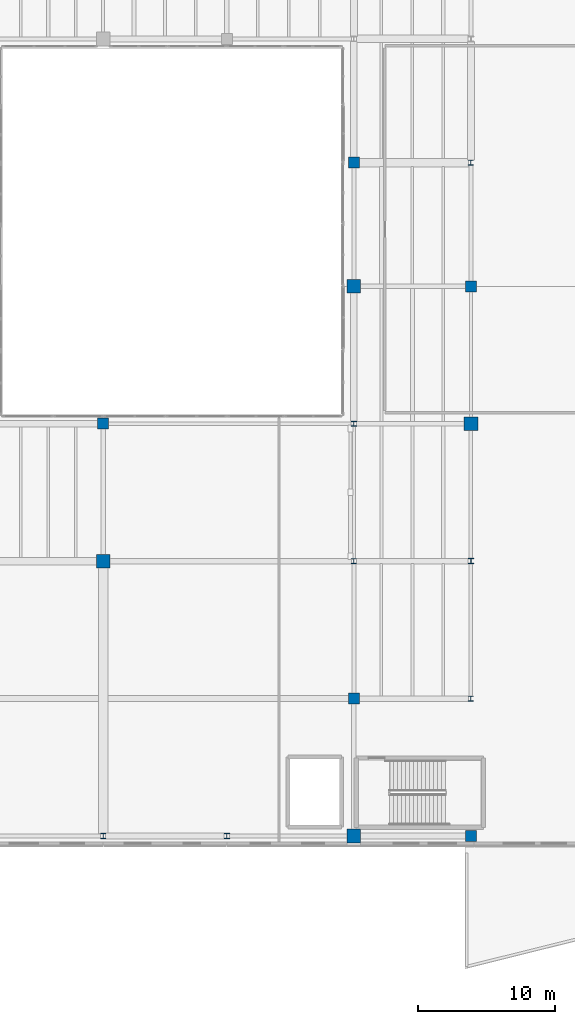
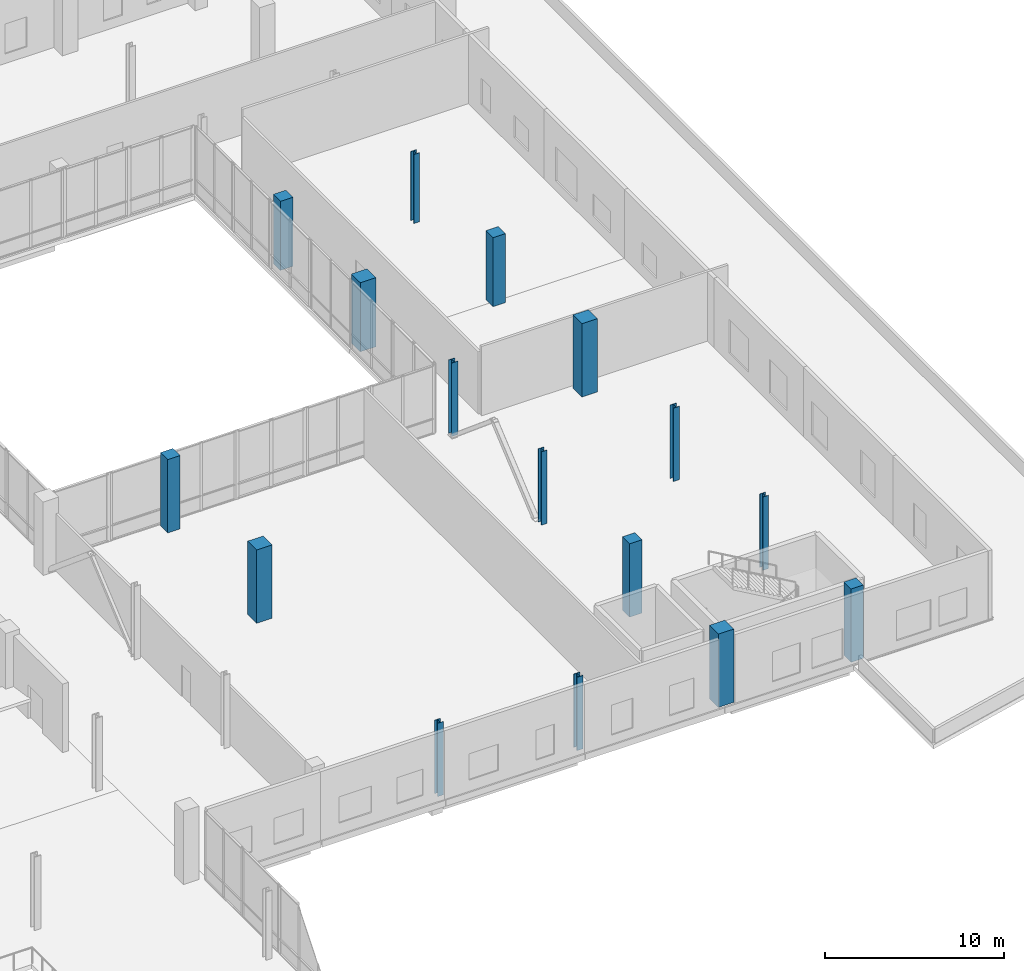
# One storey, part 13 of 73: 16 columns.
"""IFC4 building model written with IfcOpenShell, lengths in metres."""

from ifc_helpers import new_model, si_unit, direction, frame, origin, origin_2d, place, context, subcontext, project, spatial, rectangle, i_section, extrude, material, material_profile, profile_set, type_object, element, save


model = new_model("IFC4")

# Units and contexts
model_context = context("Model", 3, precision=1e-05, world=origin(), true_north=direction((0.0, 1.0)))
body_context = subcontext(model_context, "Body", "Model", "MODEL_VIEW")
ifc_project = project(units=[si_unit("LENGTHUNIT", "METRE"), si_unit("AREAUNIT", "SQUARE_METRE"), si_unit("VOLUMEUNIT", "CUBIC_METRE"), si_unit("PLANEANGLEUNIT", "RADIAN"), si_unit("MASSUNIT", "GRAM", prefix="KILO")], contexts=[model_context])

# Site, building, storey
site_placement = place(None, origin())
site = spatial("IfcSite", under=ifc_project, at=site_placement, CompositionType="ELEMENT")
building_placement = place(site_placement, origin())
building = spatial("IfcBuilding", under=site, at=building_placement, Name="Trimount Lyric Opera House", CompositionType="ELEMENT")
storey_placement = place(building_placement, frame((0.0, 0.0, 10.0)))
storey = spatial("IfcBuildingStorey", under=building, at=storey_placement, Name="L02", CompositionType="ELEMENT", Elevation=10.0)

# Columns
ifc_material_1 = material(Name="Steel ASTM A992 Grade 50", Category="steel")
ifc_material_profile_1 = material_profile(ifc_material_1, i_section(OverallWidth=0.39892578125, OverallDepth=0.385986328125, WebThickness=0.02099609375, FlangeThickness=0.033203125, FilletRadius=0.01611328125, at=origin_2d()), Name="W14X176")
ifc_profile_set_1 = profile_set([ifc_material_profile_1], Name="Steel ASTM A992 Grade 50")
column_type_1 = type_object("IfcColumnType", Name="C-03", PredefinedType="COLUMN", material=ifc_profile_set_1)
for number, where, z_axis, x_axis, name in (
    (1, (139.0, 44.0, 0.0), (0.0, 0.0, 1.0), (1.0, 0.0, 0.0), "L02 column 16/F"),
    (2, (148.239990234375, 74.0, 0.0), (0.0, 0.0, 1.0), (1.0, 0.0, 0.0), "L02 column 17/J"),
    (3, (156.760009765625, 64.0, 0.0), (0.0, 0.0, 1.0), (1.0, 0.0, 0.0), "L02 column 18/H"),
):
    element("IfcColumn", number, at=place(storey_placement, frame(where, z_axis=z_axis, x_axis=x_axis)), inside=storey, type_object=column_type_1, Name=name, PredefinedType="COLUMN", context=body_context, shape_type="SweptSolid", body=[
        extrude(i_section(OverallWidth=0.39892578125, OverallDepth=0.385986328125, WebThickness=0.02099609375, FlangeThickness=0.033203125, FilletRadius=0.01611328125, at=origin_2d()), origin(), (0.0, 0.0, 1.0), 5.0),
    ])
ifc_material_2 = material(Name="Steel ASTM A992 Grade 50", Category="steel")
ifc_material_profile_2 = material_profile(ifc_material_2, i_section(OverallWidth=0.373046875, OverallDepth=0.367919921875, WebThickness=0.014892578125, FlangeThickness=0.02392578125, FilletRadius=0.014892578125, at=origin_2d()), Name="W14X120")
ifc_profile_set_2 = profile_set([ifc_material_profile_2], Name="Steel ASTM A992 Grade 50")
column_type_2 = type_object("IfcColumnType", Name="C-08", PredefinedType="COLUMN", material=ifc_profile_set_2)
for number, where, z_axis, x_axis, name in (
    (4, (130.0, 44.0, 0.0), (0.0, 0.0, 1.0), (1.0, 0.0, 0.0), "L02 column 15/F"),
    (5, (148.239990234375, 64.0, 0.0), (0.0, 0.0, 1.0), (1.0, 0.0, 0.0), "L02 column 17/H"),
    (6, (156.760009765625, 54.0, 0.0), (0.0, 0.0, 1.0), (1.0, 0.0, 0.0), "L02 column 18/G"),
):
    element("IfcColumn", number, at=place(storey_placement, frame(where, z_axis=z_axis, x_axis=x_axis)), inside=storey, type_object=column_type_2, Name=name, PredefinedType="COLUMN", context=body_context, shape_type="SweptSolid", body=[
        extrude(i_section(OverallWidth=0.373046875, OverallDepth=0.367919921875, WebThickness=0.014892578125, FlangeThickness=0.02392578125, FilletRadius=0.014892578125, at=origin_2d()), origin(), (0.0, 0.0, 1.0), 5.0),
    ])
column_1_placement = place(storey_placement, frame((156.760009765625, 93.0, 0.0), z_axis=(0.0, 0.0, 1.0), x_axis=(1.0, 0.0, 0.0)))
element("IfcColumn", 7, at=column_1_placement, inside=storey, type_object=column_type_2, Name="L02 column 18/L", PredefinedType="COLUMN", context=body_context, shape_type="SweptSolid", body=[
    extrude(i_section(OverallWidth=0.373046875, OverallDepth=0.367919921875, WebThickness=0.014892578125, FlangeThickness=0.02392578125, FilletRadius=0.014892578125, at=origin_2d()), origin(), (0.0, 0.0, 1.0), 4.7099609375),
])
ifc_material_3 = material(Name="Concrete C50/60", Category="concrete")
ifc_material_profile_3 = material_profile(ifc_material_3, rectangle(XDim=1.0, YDim=1.0, at=origin_2d()), Name="RC1000X1000")
ifc_profile_set_3 = profile_set([ifc_material_profile_3], Name="Concrete C50/60")
column_type_3 = type_object("IfcColumnType", Name="C-12", PredefinedType="COLUMN", material=ifc_profile_set_3)
for number, where, z_axis, x_axis, name in (
    (8, (130.0, 64.0, 0.0), (0.0, 0.0, 1.0), (1.0, 0.0, 0.0), "L02 column 15/H"),
    (9, (148.239990234375, 44.0, 0.0), (0.0, 0.0, 1.0), (1.0, 0.0, 0.0), "L02 column 17/F"),
):
    element("IfcColumn", number, at=place(storey_placement, frame(where, z_axis=z_axis, x_axis=x_axis)), inside=storey, type_object=column_type_3, Name=name, PredefinedType="COLUMN", context=body_context, shape_type="SweptSolid", body=[
        extrude(rectangle(XDim=1.0, YDim=1.0, at=origin_2d()), origin(), (0.0, 0.0, 1.0), 5.0),
    ])
column_2_placement = place(storey_placement, frame((148.239990234375, 84.0, 0.0), z_axis=(0.0, 0.0, 1.0), x_axis=(1.0, 0.0, 0.0)))
element("IfcColumn", 10, at=column_2_placement, inside=storey, type_object=column_type_3, Name="L02 column 17/K", PredefinedType="COLUMN", context=body_context, shape_type="SweptSolid", body=[
    extrude(rectangle(XDim=1.0, YDim=1.0, at=origin_2d()), origin(), (0.0, 0.0, 1.0), 4.7099609375),
])
column_3_placement = place(storey_placement, frame((156.760009765625, 74.0, 0.0), z_axis=(0.0, 0.0, 1.0), x_axis=(1.0, 0.0, 0.0)))
element("IfcColumn", 11, at=column_3_placement, inside=storey, type_object=column_type_3, Name="L02 column 18/J", PredefinedType="COLUMN", context=body_context, shape_type="SweptSolid", body=[
    extrude(rectangle(XDim=1.0, YDim=1.0, at=origin_2d()), origin(), (0.0, 0.0, 1.0), 5.0),
])
ifc_material_4 = material(Name="Concrete C40/50", Category="concrete")
ifc_material_profile_4 = material_profile(ifc_material_4, rectangle(XDim=0.800048828125, YDim=0.800048828125, at=origin_2d()), Name="RC800X800")
ifc_profile_set_4 = profile_set([ifc_material_profile_4], Name="Concrete C40/50")
column_type_4 = type_object("IfcColumnType", Name="C-14", PredefinedType="COLUMN", material=ifc_profile_set_4)
for number, where, z_axis, x_axis, name in (
    (12, (130.0, 74.0, 0.0), (0.0, 0.0, 1.0), (1.0, 0.0, 0.0), "L02 column 15/J"),
    (13, (148.239990234375, 54.0, 0.0), (0.0, 0.0, 1.0), (1.0, 0.0, 0.0), "L02 column 17/G"),
):
    element("IfcColumn", number, at=place(storey_placement, frame(where, z_axis=z_axis, x_axis=x_axis)), inside=storey, type_object=column_type_4, Name=name, PredefinedType="COLUMN", context=body_context, shape_type="SweptSolid", body=[
        extrude(rectangle(XDim=0.800048828125, YDim=0.800048828125, at=origin_2d()), origin(), (0.0, 0.0, 1.0), 5.0),
    ])
column_4_placement = place(storey_placement, frame((148.239990234375, 93.0, 0.0), z_axis=(0.0, 0.0, 1.0), x_axis=(1.0, 0.0, 0.0)))
element("IfcColumn", 14, at=column_4_placement, inside=storey, type_object=column_type_4, Name="L02 column 17/L", PredefinedType="COLUMN", context=body_context, shape_type="SweptSolid", body=[
    extrude(rectangle(XDim=0.800048828125, YDim=0.800048828125, at=origin_2d()), origin(), (0.0, 0.0, 1.0), 4.7099609375),
])
column_5_placement = place(storey_placement, frame((156.760009765625, 44.0, 0.0), z_axis=(0.0, 0.0, 1.0), x_axis=(1.0, 0.0, 0.0)))
element("IfcColumn", 15, at=column_5_placement, inside=storey, type_object=column_type_4, Name="L02 column 18/F", PredefinedType="COLUMN", context=body_context, shape_type="SweptSolid", body=[
    extrude(rectangle(XDim=0.800048828125, YDim=0.800048828125, at=origin_2d()), origin(), (0.0, 0.0, 1.0), 5.0),
])
column_6_placement = place(storey_placement, frame((156.760009765625, 84.0, 0.0), z_axis=(0.0, 0.0, 1.0), x_axis=(1.0, 0.0, 0.0)))
element("IfcColumn", 16, at=column_6_placement, inside=storey, type_object=column_type_4, Name="L02 column 18/K", PredefinedType="COLUMN", context=body_context, shape_type="SweptSolid", body=[
    extrude(rectangle(XDim=0.800048828125, YDim=0.800048828125, at=origin_2d()), origin(), (0.0, 0.0, 1.0), 4.7099609375),
])

save(model, "model.ifc")
